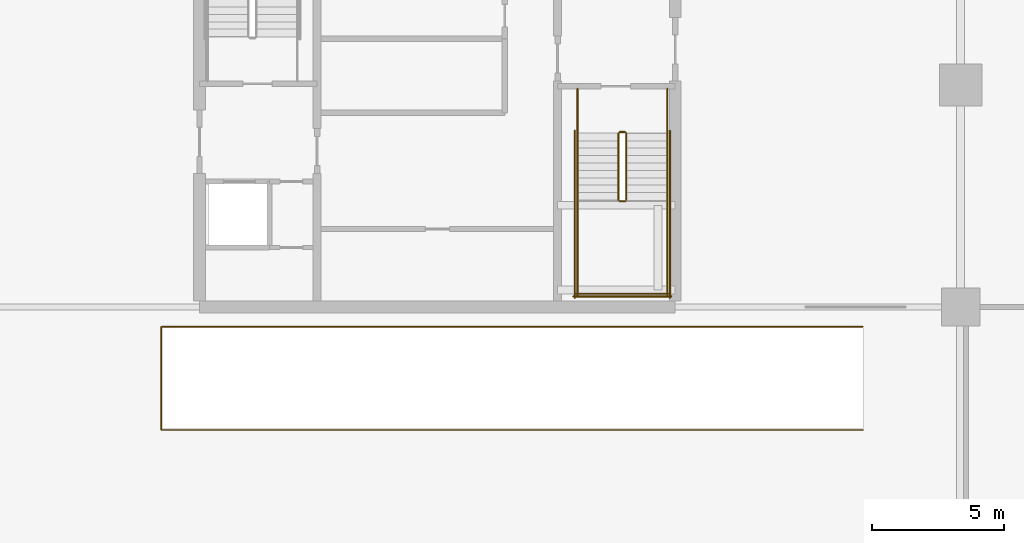
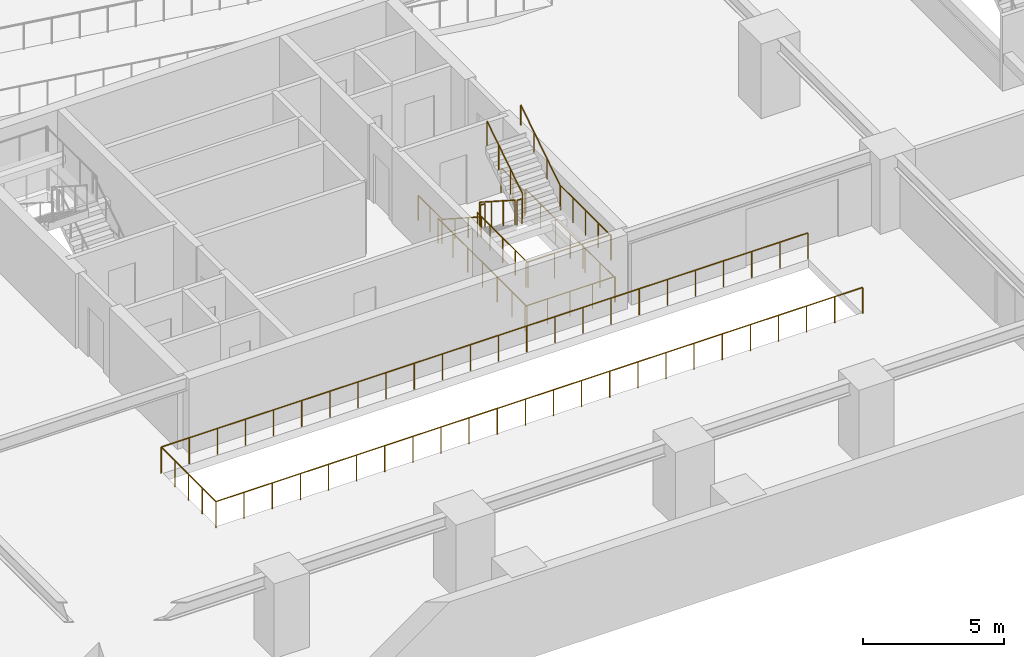
# One storey, part 8 of 10: 15 railings.
"""IFC4 building model written with IfcOpenShell, lengths in metres."""

from ifc_helpers import new_model, si_unit, direction, frame, origin, origin_2d, place, context, subcontext, project, spatial, circle, extrude, material, type_object, element, save


model = new_model("IFC4")

# Units and contexts
model_context = context("Model", 3, precision=1e-05, world=origin(), true_north=direction((0.0, 1.0)))
body_context = subcontext(model_context, "Body", "Model", "MODEL_VIEW")
ifc_project = project(units=[si_unit("LENGTHUNIT", "METRE"), si_unit("AREAUNIT", "SQUARE_METRE"), si_unit("VOLUMEUNIT", "CUBIC_METRE"), si_unit("PLANEANGLEUNIT", "RADIAN"), si_unit("MASSUNIT", "GRAM", prefix="KILO")], contexts=[model_context])

# Site, building, storey
site_placement = place(None, origin())
site = spatial("IfcSite", under=ifc_project, at=site_placement, CompositionType="ELEMENT")
building_placement = place(site_placement, origin())
building = spatial("IfcBuilding", under=site, at=building_placement, Name="Serunith Strait Residences", CompositionType="ELEMENT")
storey_placement = place(building_placement, frame((0.0, 0.0, -7.199951171875)))
storey = spatial("IfcBuildingStorey", under=building, at=storey_placement, Name="B02", CompositionType="ELEMENT", Elevation=-7.199951171875)

# Railings
ifc_material = material(Name="Brushed stainless steel 316L", Category="steel")
railing_type_1 = type_object("IfcRailingType", Name="RLG-STAIR-GUARD", PredefinedType="BALUSTRADE", material=ifc_material)
railing_1_placement = place(storey_placement, frame((39.25, 23.3701171875, 0.179931640625)))
element("IfcRailing", 1, at=railing_1_placement, inside=storey, type_object=railing_type_1, Name="B02 ST-2 stair guard 1", PredefinedType="BALUSTRADE", context=body_context, shape_type="SweptSolid", body=[
    extrude(circle(Radius=0.02392578125, at=origin_2d()), frame((0.0, -0.001708984375, 1.0771484375), z_axis=(0.0, -0.841162588446, 0.540782303519), x_axis=(1.0, 0.0, 0.0)), (0.0, 0.0, 1.0), 2.991943359375),
    extrude(circle(Radius=0.02099609375, at=origin_2d()), origin(), (0.0, 0.0, 1.0), 1.050048828125),
    extrude(circle(Radius=0.02099609375, at=origin_2d()), frame((0.0, -0.840087890625, 0.5400390625)), (0.0, 0.0, 1.0), 1.050048828125),
    extrude(circle(Radius=0.02099609375, at=origin_2d()), frame((0.0, -1.679931640625, 1.080078125)), (0.0, 0.0, 1.0), 1.050048828125),
    extrude(circle(Radius=0.02099609375, at=origin_2d()), frame((0.0, -2.52001953125, 1.6201171875)), (0.0, 0.0, 1.0), 1.050048828125),
])
railing_2_placement = place(storey_placement, frame((39.300048828125, 20.800048828125, 1.800048828125)))
element("IfcRailing", 2, at=railing_2_placement, inside=storey, type_object=railing_type_1, Name="B02 ST-2 stair guard 2", PredefinedType="BALUSTRADE", context=body_context, shape_type="SweptSolid", body=[
    extrude(circle(Radius=0.02392578125, at=origin_2d()), frame((0.001953125, 0.0, 1.076171875), z_axis=(1.0, 0.0, 0.0), x_axis=(0.0, 1.0, 0.0)), (0.0, 0.0, 1.0), 0.196044921875),
    extrude(circle(Radius=0.02099609375, at=origin_2d()), origin(), (0.0, 0.0, 1.0), 1.050048828125),
    extrude(circle(Radius=0.02099609375, at=origin_2d()), frame((0.199951171875, 0.0, 0.0)), (0.0, 0.0, 1.0), 1.050048828125),
])
for number, where, name in (
    (3, (37.699951171875, 20.85009765625, 1.800048828125), "B02 ST-2 stair guard 3"),
    (4, (41.10009765625, 20.85009765625, 1.800048828125), "B02 ST-2 stair guard 4"),
):
    element("IfcRailing", number, at=place(storey_placement, frame(where)), inside=storey, type_object=railing_type_1, Name=name, PredefinedType="BALUSTRADE", context=body_context, shape_type="SweptSolid", body=[
        extrude(circle(Radius=0.02392578125, at=origin_2d()), frame((0.0, -0.001953125, 1.076171875), z_axis=(0.0, -1.0, 0.0), x_axis=(1.0, 0.0, 0.0)), (0.0, 0.0, 1.0), 3.59619140625),
        extrude(circle(Radius=0.02099609375, at=origin_2d()), origin(), (0.0, 0.0, 1.0), 1.050048828125),
        extrude(circle(Radius=0.02099609375, at=origin_2d()), frame((0.0, -0.89990234375, 0.0)), (0.0, 0.0, 1.0), 1.050048828125),
        extrude(circle(Radius=0.02099609375, at=origin_2d()), frame((0.0, -1.800048828125, 0.0)), (0.0, 0.0, 1.0), 1.050048828125),
        extrude(circle(Radius=0.02099609375, at=origin_2d()), frame((0.0, -2.7001953125, 0.0)), (0.0, 0.0, 1.0), 1.050048828125),
        extrude(circle(Radius=0.02099609375, at=origin_2d()), frame((0.0, -3.60009765625, 0.0)), (0.0, 0.0, 1.0), 1.050048828125),
    ])
railing_3_placement = place(storey_placement, frame((37.64990234375, 17.300048828125, 1.800048828125)))
element("IfcRailing", 5, at=railing_3_placement, inside=storey, type_object=railing_type_1, Name="B02 ST-2 stair guard 5", PredefinedType="BALUSTRADE", context=body_context, shape_type="SweptSolid", body=[
    extrude(circle(Radius=0.02392578125, at=origin_2d()), frame((0.001953125, 0.0, 1.076171875), z_axis=(1.0, 0.0, 0.0), x_axis=(0.0, 1.0, 0.0)), (0.0, 0.0, 1.0), 3.49609375),
    extrude(circle(Radius=0.02099609375, at=origin_2d()), origin(), (0.0, 0.0, 1.0), 1.050048828125),
    extrude(circle(Radius=0.02099609375, at=origin_2d()), frame((1.166748046875, 0.0, 0.0)), (0.0, 0.0, 1.0), 1.050048828125),
    extrude(circle(Radius=0.02099609375, at=origin_2d()), frame((2.333251953125, 0.0, 0.0)), (0.0, 0.0, 1.0), 1.050048828125),
    extrude(circle(Radius=0.02099609375, at=origin_2d()), frame((3.5, 0.0, 0.0)), (0.0, 0.0, 1.0), 1.050048828125),
])
railing_4_placement = place(storey_placement, frame((39.550048828125, 20.85009765625, 1.97998046875)))
element("IfcRailing", 6, at=railing_4_placement, inside=storey, type_object=railing_type_1, Name="B02 ST-2 stair guard 6", PredefinedType="BALUSTRADE", context=body_context, shape_type="SweptSolid", body=[
    extrude(circle(Radius=0.02392578125, at=origin_2d()), frame((0.0, 0.001708984375, 1.0771484375), z_axis=(0.0, 0.841199657755, 0.540724639528), x_axis=(-1.0, 0.0, 0.0)), (0.0, 0.0, 1.0), 2.99169921875),
    extrude(circle(Radius=0.02099609375, at=origin_2d()), origin(), (0.0, 0.0, 1.0), 1.050048828125),
    extrude(circle(Radius=0.02099609375, at=origin_2d()), frame((0.0, 0.840087890625, 0.5400390625)), (0.0, 0.0, 1.0), 1.050048828125),
    extrude(circle(Radius=0.02099609375, at=origin_2d()), frame((0.0, 1.679931640625, 1.079833984375)), (0.0, 0.0, 1.0), 1.050048828125),
    extrude(circle(Radius=0.02099609375, at=origin_2d()), frame((0.0, 2.52001953125, 1.619873046875)), (0.0, 0.0, 1.0), 1.050048828125),
])
railing_5_placement = place(storey_placement, frame((39.300048828125, 23.419921875, 0.0)))
element("IfcRailing", 7, at=railing_5_placement, inside=storey, type_object=railing_type_1, Name="B02 ST-2 stair guard 7", PredefinedType="BALUSTRADE", context=body_context, shape_type="SweptSolid", body=[
    extrude(circle(Radius=0.02392578125, at=origin_2d()), frame((0.001953125, 0.0, 1.076171875), z_axis=(1.0, 0.0, 0.0), x_axis=(0.0, 1.0, 0.0)), (0.0, 0.0, 1.0), 0.196044921875),
    extrude(circle(Radius=0.02099609375, at=origin_2d()), origin(), (0.0, 0.0, 1.0), 1.050048828125),
    extrude(circle(Radius=0.02099609375, at=origin_2d()), frame((0.199951171875, 0.0, 0.0)), (0.0, 0.0, 1.0), 1.050048828125),
])
for number, where, name in (
    (8, (37.699951171875, 25.050048828125, 0.0), "B02 ST-2 stair guard 8"),
    (9, (41.10009765625, 25.050048828125, 0.0), "B02 ST-2 stair guard 9"),
):
    element("IfcRailing", number, at=place(storey_placement, frame(where)), inside=storey, type_object=railing_type_1, Name=name, PredefinedType="BALUSTRADE", context=body_context, shape_type="SweptSolid", body=[
        extrude(circle(Radius=0.02392578125, at=origin_2d()), frame((0.0, -0.001953125, 1.076171875), z_axis=(0.0, -1.0, 0.0), x_axis=(1.0, 0.0, 0.0)), (0.0, 0.0, 1.0), 1.676025390625),
        extrude(circle(Radius=0.02099609375, at=origin_2d()), origin(), (0.0, 0.0, 1.0), 1.050048828125),
        extrude(circle(Radius=0.02099609375, at=origin_2d()), frame((0.0, -0.83984375, 0.0)), (0.0, 0.0, 1.0), 1.050048828125),
        extrude(circle(Radius=0.02099609375, at=origin_2d()), frame((0.0, -1.679931640625, 0.0)), (0.0, 0.0, 1.0), 1.050048828125),
    ])
for number, where, name in (
    (10, (37.60009765625, 23.469970703125, 0.0), "B02 ST-2 stair guard 10"),
    (11, (41.199951171875, 23.469970703125, 0.0), "B02 ST-2 stair guard 11"),
):
    element("IfcRailing", number, at=place(storey_placement, frame(where)), inside=storey, type_object=railing_type_1, Name=name, PredefinedType="BALUSTRADE", context=body_context, shape_type="SweptSolid", body=[
        extrude(circle(Radius=0.02392578125, at=origin_2d()), frame((0.0, -0.001953125, 1.076171875), z_axis=(0.0, -1.0, 0.0), x_axis=(1.0, 0.0, 0.0)), (0.0, 0.0, 1.0), 6.316162109375),
        extrude(circle(Radius=0.02099609375, at=origin_2d()), origin(), (0.0, 0.0, 1.0), 1.050048828125),
        extrude(circle(Radius=0.02099609375, at=origin_2d()), frame((0.0, -1.05322265625, 0.0)), (0.0, 0.0, 1.0), 1.050048828125),
        extrude(circle(Radius=0.02099609375, at=origin_2d()), frame((0.0, -2.106689453125, 0.0)), (0.0, 0.0, 1.0), 1.050048828125),
        extrude(circle(Radius=0.02099609375, at=origin_2d()), frame((0.0, -3.16015625, 0.0)), (0.0, 0.0, 1.0), 1.050048828125),
        extrude(circle(Radius=0.02099609375, at=origin_2d()), frame((0.0, -4.21337890625, 0.0)), (0.0, 0.0, 1.0), 1.050048828125),
        extrude(circle(Radius=0.02099609375, at=origin_2d()), frame((0.0, -5.2666015625, 0.0)), (0.0, 0.0, 1.0), 1.050048828125),
        extrude(circle(Radius=0.02099609375, at=origin_2d()), frame((0.0, -6.320068359375, 0.0)), (0.0, 0.0, 1.0), 1.050048828125),
    ])
railing_6_placement = place(storey_placement, frame((37.550048828125, 17.199951171875, 0.0)))
element("IfcRailing", 12, at=railing_6_placement, inside=storey, type_object=railing_type_1, Name="B02 ST-2 stair guard 12", PredefinedType="BALUSTRADE", context=body_context, shape_type="SweptSolid", body=[
    extrude(circle(Radius=0.02392578125, at=origin_2d()), frame((0.001953125, 0.0, 1.076171875), z_axis=(1.0, 0.0, 0.0), x_axis=(0.0, 1.0, 0.0)), (0.0, 0.0, 1.0), 3.696044921875),
    extrude(circle(Radius=0.02099609375, at=origin_2d()), origin(), (0.0, 0.0, 1.0), 1.050048828125),
    extrude(circle(Radius=0.02099609375, at=origin_2d()), frame((0.925048828125, 0.0, 0.0)), (0.0, 0.0, 1.0), 1.050048828125),
    extrude(circle(Radius=0.02099609375, at=origin_2d()), frame((1.85009765625, 0.0, 0.0)), (0.0, 0.0, 1.0), 1.050048828125),
    extrude(circle(Radius=0.02099609375, at=origin_2d()), frame((2.77490234375, 0.0, 0.0)), (0.0, 0.0, 1.0), 1.050048828125),
    extrude(circle(Radius=0.02099609375, at=origin_2d()), frame((3.699951171875, 0.0, 0.0)), (0.0, 0.0, 1.0), 1.050048828125),
])
railing_7_placement = place(storey_placement, frame((48.5, 12.14990234375, 0.0)))
element("IfcRailing", 13, at=railing_7_placement, inside=storey, type_object=railing_type_1, Name="B02 Vehicle Ramp Well Safety Balustrade", PredefinedType="BALUSTRADE", context=body_context, shape_type="SweptSolid", body=[
    extrude(circle(Radius=0.02392578125, at=origin_2d()), frame((-0.001953125, 0.0, 1.1259765625), z_axis=(-1.0, 0.0, 0.0), x_axis=(0.0, -1.0, 0.0)), (0.0, 0.0, 1.0), 26.546142578125),
    extrude(circle(Radius=0.02392578125, at=origin_2d()), frame((-26.550048828125, 0.001953125, 1.1259765625), z_axis=(0.0, 1.0, 0.0), x_axis=(-1.0, 0.0, 0.0)), (0.0, 0.0, 1.0), 3.896240234375),
    extrude(circle(Radius=0.02392578125, at=origin_2d()), frame((-26.548095703125, 3.900146484375, 1.1259765625), z_axis=(1.0, 0.0, 0.0), x_axis=(0.0, 1.0, 0.0)), (0.0, 0.0, 1.0), 26.546142578125),
    extrude(circle(Radius=0.02099609375, at=origin_2d()), origin(), (0.0, 0.0, 1.0), 1.099853515625),
    extrude(circle(Radius=0.02099609375, at=origin_2d()), frame((-1.154296875, 0.0, 0.0)), (0.0, 0.0, 1.0), 1.099853515625),
    extrude(circle(Radius=0.02099609375, at=origin_2d()), frame((-2.30859375, 0.0, 0.0)), (0.0, 0.0, 1.0), 1.099853515625),
    extrude(circle(Radius=0.02099609375, at=origin_2d()), frame((-3.463134765625, 0.0, 0.0)), (0.0, 0.0, 1.0), 1.099853515625),
    extrude(circle(Radius=0.02099609375, at=origin_2d()), frame((-4.617431640625, 0.0, 0.0)), (0.0, 0.0, 1.0), 1.099853515625),
    extrude(circle(Radius=0.02099609375, at=origin_2d()), frame((-5.771728515625, 0.0, 0.0)), (0.0, 0.0, 1.0), 1.099853515625),
    extrude(circle(Radius=0.02099609375, at=origin_2d()), frame((-6.926025390625, 0.0, 0.0)), (0.0, 0.0, 1.0), 1.099853515625),
    extrude(circle(Radius=0.02099609375, at=origin_2d()), frame((-8.08056640625, 0.0, 0.0)), (0.0, 0.0, 1.0), 1.099853515625),
    extrude(circle(Radius=0.02099609375, at=origin_2d()), frame((-9.23486328125, 0.0, 0.0)), (0.0, 0.0, 1.0), 1.099853515625),
    extrude(circle(Radius=0.02099609375, at=origin_2d()), frame((-10.38916015625, 0.0, 0.0)), (0.0, 0.0, 1.0), 1.099853515625),
    extrude(circle(Radius=0.02099609375, at=origin_2d()), frame((-11.54345703125, 0.0, 0.0)), (0.0, 0.0, 1.0), 1.099853515625),
    extrude(circle(Radius=0.02099609375, at=origin_2d()), frame((-12.69775390625, 0.0, 0.0)), (0.0, 0.0, 1.0), 1.099853515625),
    extrude(circle(Radius=0.02099609375, at=origin_2d()), frame((-13.852294921875, 0.0, 0.0)), (0.0, 0.0, 1.0), 1.099853515625),
    extrude(circle(Radius=0.02099609375, at=origin_2d()), frame((-15.006591796875, 0.0, 0.0)), (0.0, 0.0, 1.0), 1.099853515625),
    extrude(circle(Radius=0.02099609375, at=origin_2d()), frame((-16.160888671875, 0.0, 0.0)), (0.0, 0.0, 1.0), 1.099853515625),
    extrude(circle(Radius=0.02099609375, at=origin_2d()), frame((-17.315185546875, 0.0, 0.0)), (0.0, 0.0, 1.0), 1.099853515625),
    extrude(circle(Radius=0.02099609375, at=origin_2d()), frame((-18.469482421875, 0.0, 0.0)), (0.0, 0.0, 1.0), 1.099853515625),
    extrude(circle(Radius=0.02099609375, at=origin_2d()), frame((-19.6240234375, 0.0, 0.0)), (0.0, 0.0, 1.0), 1.099853515625),
    extrude(circle(Radius=0.02099609375, at=origin_2d()), frame((-20.7783203125, 0.0, 0.0)), (0.0, 0.0, 1.0), 1.099853515625),
    extrude(circle(Radius=0.02099609375, at=origin_2d()), frame((-21.9326171875, 0.0, 0.0)), (0.0, 0.0, 1.0), 1.099853515625),
    extrude(circle(Radius=0.02099609375, at=origin_2d()), frame((-23.0869140625, 0.0, 0.0)), (0.0, 0.0, 1.0), 1.099853515625),
    extrude(circle(Radius=0.02099609375, at=origin_2d()), frame((-24.241455078125, 0.0, 0.0)), (0.0, 0.0, 1.0), 1.099853515625),
    extrude(circle(Radius=0.02099609375, at=origin_2d()), frame((-25.395751953125, 0.0, 0.0)), (0.0, 0.0, 1.0), 1.099853515625),
    extrude(circle(Radius=0.02099609375, at=origin_2d()), frame((-26.550048828125, 0.0, 0.0)), (0.0, 0.0, 1.0), 1.099853515625),
    extrude(circle(Radius=0.02099609375, at=origin_2d()), frame((-26.550048828125, 0.97509765625, 0.0)), (0.0, 0.0, 1.0), 1.099853515625),
    extrude(circle(Radius=0.02099609375, at=origin_2d()), frame((-26.550048828125, 1.9501953125, 0.0)), (0.0, 0.0, 1.0), 1.099853515625),
    extrude(circle(Radius=0.02099609375, at=origin_2d()), frame((-26.550048828125, 2.925048828125, 0.0)), (0.0, 0.0, 1.0), 1.099853515625),
    extrude(circle(Radius=0.02099609375, at=origin_2d()), frame((-26.550048828125, 3.900146484375, 0.0)), (0.0, 0.0, 1.0), 1.099853515625),
    extrude(circle(Radius=0.02099609375, at=origin_2d()), frame((-25.395751953125, 3.900146484375, 0.0)), (0.0, 0.0, 1.0), 1.099853515625),
    extrude(circle(Radius=0.02099609375, at=origin_2d()), frame((-24.241455078125, 3.900146484375, 0.0)), (0.0, 0.0, 1.0), 1.099853515625),
    extrude(circle(Radius=0.02099609375, at=origin_2d()), frame((-23.0869140625, 3.900146484375, 0.0)), (0.0, 0.0, 1.0), 1.099853515625),
    extrude(circle(Radius=0.02099609375, at=origin_2d()), frame((-21.9326171875, 3.900146484375, 0.0)), (0.0, 0.0, 1.0), 1.099853515625),
    extrude(circle(Radius=0.02099609375, at=origin_2d()), frame((-20.7783203125, 3.900146484375, 0.0)), (0.0, 0.0, 1.0), 1.099853515625),
    extrude(circle(Radius=0.02099609375, at=origin_2d()), frame((-19.6240234375, 3.900146484375, 0.0)), (0.0, 0.0, 1.0), 1.099853515625),
    extrude(circle(Radius=0.02099609375, at=origin_2d()), frame((-18.469482421875, 3.900146484375, 0.0)), (0.0, 0.0, 1.0), 1.099853515625),
    extrude(circle(Radius=0.02099609375, at=origin_2d()), frame((-17.315185546875, 3.900146484375, 0.0)), (0.0, 0.0, 1.0), 1.099853515625),
    extrude(circle(Radius=0.02099609375, at=origin_2d()), frame((-16.160888671875, 3.900146484375, 0.0)), (0.0, 0.0, 1.0), 1.099853515625),
    extrude(circle(Radius=0.02099609375, at=origin_2d()), frame((-15.006591796875, 3.900146484375, 0.0)), (0.0, 0.0, 1.0), 1.099853515625),
    extrude(circle(Radius=0.02099609375, at=origin_2d()), frame((-13.852294921875, 3.900146484375, 0.0)), (0.0, 0.0, 1.0), 1.099853515625),
    extrude(circle(Radius=0.02099609375, at=origin_2d()), frame((-12.69775390625, 3.900146484375, 0.0)), (0.0, 0.0, 1.0), 1.099853515625),
    extrude(circle(Radius=0.02099609375, at=origin_2d()), frame((-11.54345703125, 3.900146484375, 0.0)), (0.0, 0.0, 1.0), 1.099853515625),
    extrude(circle(Radius=0.02099609375, at=origin_2d()), frame((-10.38916015625, 3.900146484375, 0.0)), (0.0, 0.0, 1.0), 1.099853515625),
    extrude(circle(Radius=0.02099609375, at=origin_2d()), frame((-9.23486328125, 3.900146484375, 0.0)), (0.0, 0.0, 1.0), 1.099853515625),
    extrude(circle(Radius=0.02099609375, at=origin_2d()), frame((-8.08056640625, 3.900146484375, 0.0)), (0.0, 0.0, 1.0), 1.099853515625),
    extrude(circle(Radius=0.02099609375, at=origin_2d()), frame((-6.926025390625, 3.900146484375, 0.0)), (0.0, 0.0, 1.0), 1.099853515625),
    extrude(circle(Radius=0.02099609375, at=origin_2d()), frame((-5.771728515625, 3.900146484375, 0.0)), (0.0, 0.0, 1.0), 1.099853515625),
    extrude(circle(Radius=0.02099609375, at=origin_2d()), frame((-4.617431640625, 3.900146484375, 0.0)), (0.0, 0.0, 1.0), 1.099853515625),
    extrude(circle(Radius=0.02099609375, at=origin_2d()), frame((-3.463134765625, 3.900146484375, 0.0)), (0.0, 0.0, 1.0), 1.099853515625),
    extrude(circle(Radius=0.02099609375, at=origin_2d()), frame((-2.30859375, 3.900146484375, 0.0)), (0.0, 0.0, 1.0), 1.099853515625),
    extrude(circle(Radius=0.02099609375, at=origin_2d()), frame((-1.154296875, 3.900146484375, 0.0)), (0.0, 0.0, 1.0), 1.099853515625),
    extrude(circle(Radius=0.02099609375, at=origin_2d()), frame((0.0, 3.900146484375, 0.0)), (0.0, 0.0, 1.0), 1.099853515625),
])
railing_type_2 = type_object("IfcRailingType", Name="RLG-STAIR-HR", PredefinedType="HANDRAIL", material=ifc_material)
railing_8_placement = place(storey_placement, frame((37.699951171875, 23.3701171875, 0.179931640625)))
element("IfcRailing", 14, at=railing_8_placement, inside=storey, type_object=railing_type_2, Name="B02 ST-2 stair handrail 1", PredefinedType="HANDRAIL", context=body_context, shape_type="SweptSolid", body=[
    extrude(circle(Radius=0.02392578125, at=origin_2d()), frame((0.0, -0.001708984375, 0.876953125), z_axis=(0.0, -0.840508739616, 0.541797986919), x_axis=(1.0, 0.0, 0.0)), (0.0, 0.0, 1.0), 3.327392578125),
    extrude(circle(Radius=0.02099609375, at=origin_2d()), origin(), (0.0, 0.0, 1.0), 0.849853515625),
    extrude(circle(Radius=0.02099609375, at=origin_2d()), frame((0.0, -0.933349609375, 0.6015625)), (0.0, 0.0, 1.0), 0.849853515625),
    extrude(circle(Radius=0.02099609375, at=origin_2d()), frame((0.0, -1.86669921875, 1.203369140625)), (0.0, 0.0, 1.0), 0.849853515625),
    extrude(circle(Radius=0.02099609375, at=origin_2d()), frame((0.0, -2.800048828125, 1.804931640625)), (0.0, 0.0, 1.0), 0.849853515625),
])
railing_9_placement = place(storey_placement, frame((41.10009765625, 20.85009765625, 1.97998046875)))
element("IfcRailing", 15, at=railing_9_placement, inside=storey, type_object=railing_type_2, Name="B02 ST-2 stair handrail 2", PredefinedType="HANDRAIL", context=body_context, shape_type="SweptSolid", body=[
    extrude(circle(Radius=0.02392578125, at=origin_2d()), frame((0.0, 0.001708984375, 0.876953125), z_axis=(0.0, 0.840487225099, 0.541831361629), x_axis=(-1.0, 0.0, 0.0)), (0.0, 0.0, 1.0), 3.3271484375),
    extrude(circle(Radius=0.02099609375, at=origin_2d()), origin(), (0.0, 0.0, 1.0), 0.849853515625),
    extrude(circle(Radius=0.02099609375, at=origin_2d()), frame((0.0, 0.933349609375, 0.6015625)), (0.0, 0.0, 1.0), 0.849853515625),
    extrude(circle(Radius=0.02099609375, at=origin_2d()), frame((0.0, 1.866455078125, 1.203369140625)), (0.0, 0.0, 1.0), 0.849853515625),
    extrude(circle(Radius=0.02099609375, at=origin_2d()), frame((0.0, 2.7998046875, 1.804931640625)), (0.0, 0.0, 1.0), 0.849853515625),
])

save(model, "model.ifc")
